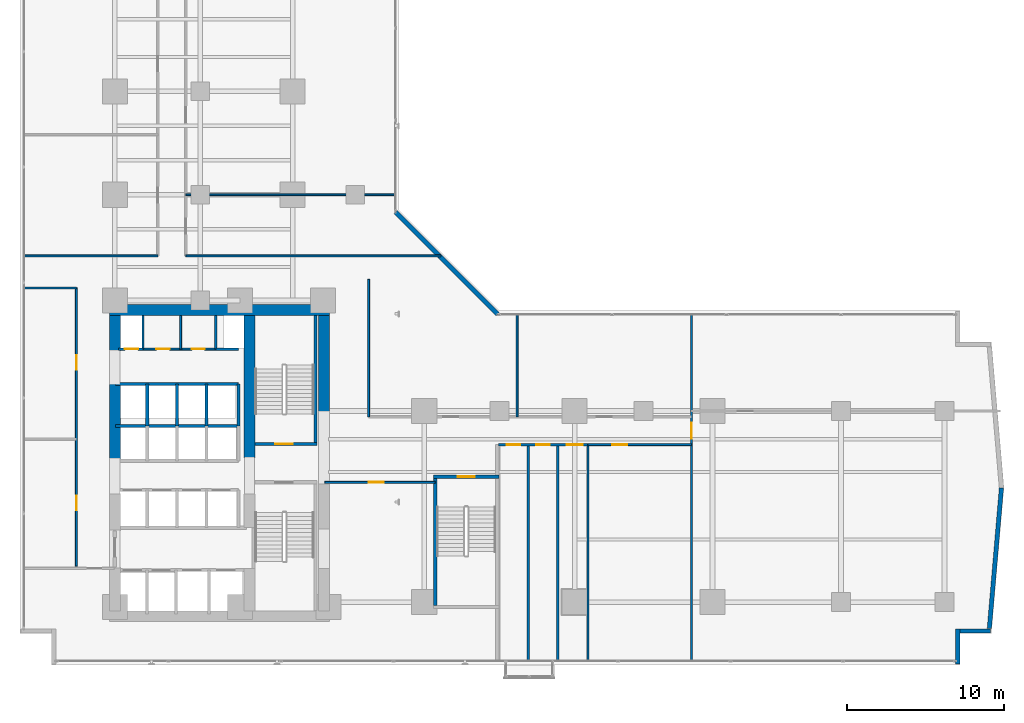
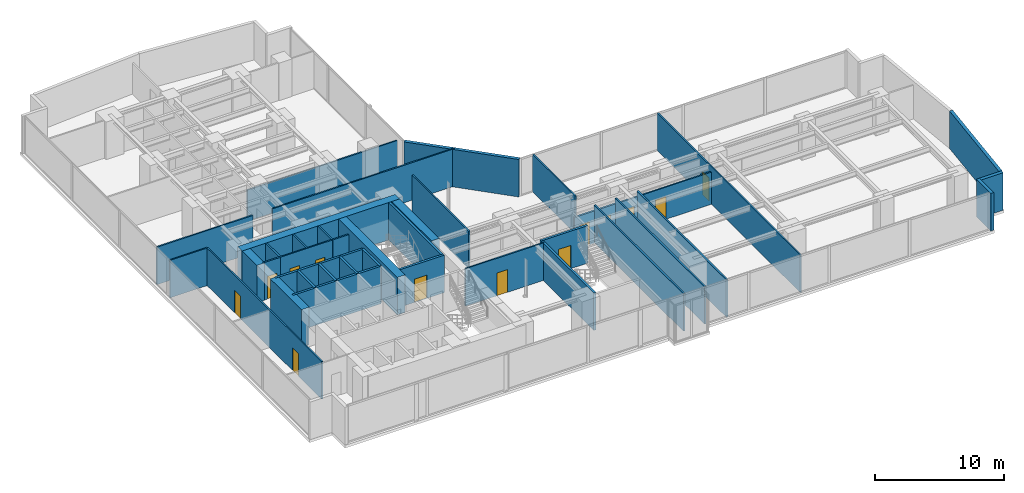
# One storey, part 24 of 29: 39 walls, 13 doors, 13 openings.
"""IFC4 building model written with IfcOpenShell, lengths in metres."""

from ifc_helpers import new_model, si_unit, direction, frame, frame_2d, origin, place, context, subcontext, project, spatial, rectangle, extrude, material, layer, layer_set, type_object, element, fill, save


model = new_model("IFC4")

# Units and contexts
model_context = context("Model", 3, precision=1e-05, world=origin(), true_north=direction((0.0, 1.0)))
body_context = subcontext(model_context, "Body", "Model", "MODEL_VIEW")
ifc_project = project(units=[si_unit("LENGTHUNIT", "METRE"), si_unit("AREAUNIT", "SQUARE_METRE"), si_unit("VOLUMEUNIT", "CUBIC_METRE"), si_unit("PLANEANGLEUNIT", "RADIAN"), si_unit("MASSUNIT", "GRAM", prefix="KILO")], contexts=[model_context])

# Site, building, storey
site_placement = place(None, origin())
site = spatial("IfcSite", under=ifc_project, at=site_placement, CompositionType="ELEMENT")
building_placement = place(site_placement, origin())
building = spatial("IfcBuilding", under=site, at=building_placement, Name="Kolvaren Waterfront Exchange", CompositionType="ELEMENT")
storey_placement = place(building_placement, frame((0.0, 0.0, 37.199951171875)))
storey = spatial("IfcBuildingStorey", under=building, at=storey_placement, Name="L09", CompositionType="ELEMENT", Elevation=37.199951171875)

# Walls
ifc_material_1 = material(Name="Precast concrete C40/50", Category="concrete")
ifc_layer_1 = layer(ifc_material_1, 0.280029296875, Name="Precast concrete C40/50")
ifc_layer_set_1 = layer_set([ifc_layer_1], Name="Precast concrete C40/50")
wall_type_1 = type_object("IfcWallType", Name="ARC-EXT-TERR-280", PredefinedType="SOLIDWALL", material=ifc_layer_set_1)
wall_1_placement = place(storey_placement, frame((61.239990234375, 1.260009765625, 0.0), z_axis=(0.0, 0.0, 1.0), x_axis=(0.0, 1.0, 0.0)))
element("IfcWall", 1, at=wall_1_placement, inside=storey, type_object=wall_type_1, Name="L09 notched corner spandrel pier SE-A", PredefinedType="SOLIDWALL", context=body_context, shape_type="SweptSolid", body=[
    extrude(rectangle(XDim=2.239990234375, YDim=0.280029296875, at=frame_2d((1.1201171875, 0.0))), origin(), (0.0, 0.0, 1.0), 3.5400390625),
])
wall_2_placement = place(storey_placement, frame((61.3798828125, 3.360107421875, 0.0), z_axis=(0.0, 0.0, 1.0), x_axis=(1.0, 0.0, 0.0)))
element("IfcWall", 2, at=wall_2_placement, inside=storey, type_object=wall_type_1, Name="L09 notched corner spandrel pier SE-B", PredefinedType="SOLIDWALL", context=body_context, shape_type="SweptSolid", body=[
    extrude(rectangle(XDim=1.960205078125, YDim=0.280029296875, at=frame_2d((0.97998046875, 0.0))), origin(), (0.0, 0.0, 1.0), 3.5400390625),
])
wall_3_placement = place(storey_placement, frame((31.885009765625, 23.574951171875, 0.0), z_axis=(0.0, 0.0, 1.0), x_axis=(-0.707106781187, 0.707106781187, 0.0)))
element("IfcWall", 3, at=wall_3_placement, inside=storey, type_object=wall_type_1, Name="L09 notched corner spandrel pier ELBOW", PredefinedType="SOLIDWALL", context=body_context, shape_type="SweptSolid", body=[
    extrude(rectangle(XDim=9.20654296875, YDim=0.280029296875, at=frame_2d((4.603271484375, 0.0))), origin(), (0.0, 0.0, 1.0), 3.5400390625),
])
wall_4_placement = place(storey_placement, frame((63.266357421875, 3.5126953125, 0.0), z_axis=(0.0, 0.0, 1.0), x_axis=(0.085692274626, 0.996321651912, 0.0)))
element("IfcWall", 4, at=wall_4_placement, inside=storey, type_object=wall_type_1, Name="L09 east prow faceted facade wall 1", PredefinedType="SOLIDWALL", context=body_context, shape_type="SweptSolid", body=[
    extrude(rectangle(XDim=9.014404296875, YDim=0.280029296875, at=frame_2d((4.50732421875, 0.0))), origin(), (0.0, 0.0, 1.0), 3.5400390625),
])

# Wall, opening, door
ifc_layer_2 = layer(ifc_material_1, 0.199951171875, Name="Precast concrete C40/50")
ifc_layer_set_2 = layer_set([ifc_layer_2], Name="Precast concrete C40/50")
wall_type_2 = type_object("IfcWallType", Name="ARC-FIRE-200", PredefinedType="PARTITIONING", material=ifc_layer_set_2)
wall_5_placement = place(storey_placement, frame((16.409912109375, 15.300048828125, 0.0), z_axis=(0.0, 0.0, 1.0), x_axis=(1.0, 0.0, 0.0)))
wall_5 = element("IfcWall", 5, at=wall_5_placement, inside=storey, type_object=wall_type_2, Name="L09 interior wall PW-L09-ST2-THROAT-N", PredefinedType="PARTITIONING", context=body_context, shape_type="SweptSolid", body=[
    extrude(rectangle(XDim=3.9501953125, YDim=0.199951171875, at=frame_2d((1.97509765625, 0.0))), origin(), (0.0, 0.0, 1.0), 3.5400390625),
])
opening_1_placement = place(wall_5_placement, frame((1.293701171875, 0.0, 0.0)))
opening_1 = element("IfcOpeningElement", 6, at=opening_1_placement, cuts=wall_5, Name="Opening FD2", PredefinedType="OPENING", context=body_context, shape_type="SweptSolid", body=[
    extrude(rectangle(XDim=1.10009765625, YDim=2.199951171875, at=frame_2d((0.550048828125, 1.10009765625))), frame((0.0, 0.10986328125, 0.0), z_axis=(0.0, -1.0, 0.0), x_axis=(1.0, 0.0, 0.0)), (0.0, 0.0, 1.0), 0.219970703125),
])
ifc_material_2 = material(Name="Pressed steel smoke-seal fire door", Category="steel")
door_type_1 = type_object("IfcDoorType", Name="ARC-FD-1100", OperationType="NOTDEFINED", PredefinedType="DOOR", material=ifc_material_2)
door_1_placement = place(opening_1_placement, origin())
door_1 = element("IfcDoor", 7, at=door_1_placement, inside=storey, type_object=door_type_1, Name="L09 door DR-L09-ST2-IN (FD2)", OperationType="SINGLE_SWING_LEFT", OverallHeight=2.199951171875, OverallWidth=1.10009765625, PredefinedType="DOOR", context=body_context, shape_type="SweptSolid", body=[
    extrude(rectangle(XDim=1.10009765625, YDim=2.199951171875, at=frame_2d((0.550048828125, 1.10009765625))), frame((0.0, 0.02490234375, 0.0), z_axis=(0.0, -1.0, 0.0), x_axis=(1.0, 0.0, 0.0)), (0.0, 0.0, 1.0), 0.050048828125),
])
fill(opening_1, door_1)

# Wall, openings, doors
ifc_material_3 = material(Name="Acoustic gypsum steel stud", Category="steel")
ifc_layer_3 = layer(ifc_material_3, 0.125, Name="Acoustic gypsum steel stud")
ifc_layer_set_3 = layer_set([ifc_layer_3], Name="Acoustic gypsum steel stud")
wall_type_3 = type_object("IfcWallType", Name="ARC-PART-125", PredefinedType="PARTITIONING", material=ifc_layer_set_3)
wall_6_placement = place(storey_placement, frame((9.25, 21.35009765625, 0.0), z_axis=(0.0, 0.0, 1.0), x_axis=(1.0, 0.0, 0.0)))
wall_6 = element("IfcWall", 8, at=wall_6_placement, inside=storey, type_object=wall_type_3, Name="L09 interior wall PW-L09-SVC-EX-S", PredefinedType="PARTITIONING", context=body_context, shape_type="SweptSolid", body=[
    extrude(rectangle(XDim=4.64990234375, YDim=0.125, at=frame_2d((2.324951171875, 0.0))), origin(), (0.0, 0.0, 1.0), 3.5400390625),
])
opening_2_placement = place(wall_6_placement, frame((0.85009765625, 0.0, 0.0)))
opening_2 = element("IfcOpeningElement", 9, at=opening_2_placement, cuts=wall_6, Name="Opening D01", PredefinedType="OPENING", context=body_context, shape_type="SweptSolid", body=[
    extrude(rectangle(XDim=0.85009765625, YDim=2.14990234375, at=frame_2d((0.425048828125, 1.074951171875))), frame((0.0, 0.072509765625, 0.0), z_axis=(0.0, -1.0, 0.0), x_axis=(1.0, 0.0, 0.0)), (0.0, 0.0, 1.0), 0.14501953125),
])
opening_3_placement = place(wall_6_placement, frame((3.10009765625, 0.0, 0.0)))
opening_3 = element("IfcOpeningElement", 10, at=opening_3_placement, cuts=wall_6, Name="Opening D01", PredefinedType="OPENING", context=body_context, shape_type="SweptSolid", body=[
    extrude(rectangle(XDim=0.85009765625, YDim=2.14990234375, at=frame_2d((0.425048828125, 1.074951171875))), frame((0.0, 0.072509765625, 0.0), z_axis=(0.0, -1.0, 0.0), x_axis=(1.0, 0.0, 0.0)), (0.0, 0.0, 1.0), 0.14501953125),
])
ifc_material_4 = material(Name="Oak veneer timber leaf", Category="wood")
door_type_2 = type_object("IfcDoorType", Name="ARC-DR-900", OperationType="NOTDEFINED", PredefinedType="DOOR", material=ifc_material_4)
door_2_placement = place(opening_2_placement, origin())
door_2 = element("IfcDoor", 11, at=door_2_placement, inside=storey, type_object=door_type_2, Name="L09 door DR-L09-SVC-DR-1 (D01)", OperationType="SINGLE_SWING_LEFT", OverallHeight=2.14990234375, OverallWidth=0.85009765625, PredefinedType="DOOR", context=body_context, shape_type="SweptSolid", body=[
    extrude(rectangle(XDim=0.85009765625, YDim=2.14990234375, at=frame_2d((0.425048828125, 1.074951171875))), frame((0.0, 0.02490234375, 0.0), z_axis=(0.0, -1.0, 0.0), x_axis=(1.0, 0.0, 0.0)), (0.0, 0.0, 1.0), 0.050048828125),
])
fill(opening_2, door_2)
door_3_placement = place(opening_3_placement, origin())
door_3 = element("IfcDoor", 12, at=door_3_placement, inside=storey, type_object=door_type_2, Name="L09 door DR-L09-SVC-DR-2 (D01)", OperationType="SINGLE_SWING_RIGHT", OverallHeight=2.14990234375, OverallWidth=0.85009765625, PredefinedType="DOOR", context=body_context, shape_type="SweptSolid", body=[
    extrude(rectangle(XDim=0.85009765625, YDim=2.14990234375, at=frame_2d((0.425048828125, 1.074951171875))), frame((0.0, 0.02490234375, 0.0), z_axis=(0.0, -1.0, 0.0), x_axis=(1.0, 0.0, 0.0)), (0.0, 0.0, 1.0), 0.050048828125),
])
fill(opening_3, door_3)

# Wall
wall_7_placement = place(storey_placement, frame((11.64990234375, 21.35009765625, 0.0), z_axis=(0.0, 0.0, 1.0), x_axis=(0.0, 1.0, 0.0)))
element("IfcWall", 13, at=wall_7_placement, inside=storey, type_object=wall_type_3, Name="L09 interior wall PW-L09-SVC-EX-M1", PredefinedType="PARTITIONING", context=body_context, shape_type="SweptSolid", body=[
    extrude(rectangle(XDim=2.1298828125, YDim=0.125, at=frame_2d((1.06494140625, 0.0))), origin(), (0.0, 0.0, 1.0), 3.5400390625),
])

# Wall, openings, doors
wall_8_placement = place(storey_placement, frame((5.0, 7.5, 0.0), z_axis=(0.0, 0.0, 1.0), x_axis=(0.0, 1.0, 0.0)))
wall_8 = element("IfcWall", 14, at=wall_8_placement, inside=storey, type_object=wall_type_3, Name="L09 interior wall PW-L09-WFLANK-E", PredefinedType="PARTITIONING", context=body_context, shape_type="SweptSolid", body=[
    extrude(rectangle(XDim=17.75, YDim=0.125, at=frame_2d((8.875, 0.0))), origin(), (0.0, 0.0, 1.0), 3.5400390625),
])
opening_4_placement = place(wall_8_placement, frame((3.550048828125, 0.0, 0.0)))
opening_4 = element("IfcOpeningElement", 15, at=opening_4_placement, cuts=wall_8, Name="Opening D02", PredefinedType="OPENING", context=body_context, shape_type="SweptSolid", body=[
    extrude(rectangle(XDim=0.949951171875, YDim=2.14990234375, at=frame_2d((0.47509765625, 1.074951171875))), frame((0.0, 0.072509765625, 0.0), z_axis=(0.0, -1.0, 0.0), x_axis=(1.0, 0.0, 0.0)), (0.0, 0.0, 1.0), 0.14501953125),
])
opening_5_placement = place(wall_8_placement, frame((12.52099609375, 0.0, 0.0)))
opening_5 = element("IfcOpeningElement", 16, at=opening_5_placement, cuts=wall_8, Name="Opening D02", PredefinedType="OPENING", context=body_context, shape_type="SweptSolid", body=[
    extrude(rectangle(XDim=0.949951171875, YDim=2.14990234375, at=frame_2d((0.47509765625, 1.074951171875))), frame((0.0, 0.072509765625, 0.0), z_axis=(0.0, -1.0, 0.0), x_axis=(1.0, 0.0, 0.0)), (0.0, 0.0, 1.0), 0.14501953125),
])
ifc_material_5 = material(Name="Oak veneer acoustic timber", Category="wood")
door_type_3 = type_object("IfcDoorType", Name="ARC-DR-950", OperationType="NOTDEFINED", PredefinedType="DOOR", material=ifc_material_5)
door_4_placement = place(opening_4_placement, origin())
door_4 = element("IfcDoor", 17, at=door_4_placement, inside=storey, type_object=door_type_3, Name="L09 door DR-L09-WFL1-D (D02)", OperationType="SINGLE_SWING_LEFT", OverallHeight=2.14990234375, OverallWidth=0.949951171875, PredefinedType="DOOR", context=body_context, shape_type="SweptSolid", body=[
    extrude(rectangle(XDim=0.949951171875, YDim=2.14990234375, at=frame_2d((0.47509765625, 1.074951171875))), frame((0.0, 0.02490234375, 0.0), z_axis=(0.0, -1.0, 0.0), x_axis=(1.0, 0.0, 0.0)), (0.0, 0.0, 1.0), 0.050048828125),
])
fill(opening_4, door_4)
door_5_placement = place(opening_5_placement, origin())
door_5 = element("IfcDoor", 18, at=door_5_placement, inside=storey, type_object=door_type_3, Name="L09 door DR-L09-WFL2-D (D02)", OperationType="SINGLE_SWING_RIGHT", OverallHeight=2.14990234375, OverallWidth=0.949951171875, PredefinedType="DOOR", context=body_context, shape_type="SweptSolid", body=[
    extrude(rectangle(XDim=0.949951171875, YDim=2.14990234375, at=frame_2d((0.47509765625, 1.074951171875))), frame((0.0, 0.02490234375, 0.0), z_axis=(0.0, -1.0, 0.0), x_axis=(1.0, 0.0, 0.0)), (0.0, 0.0, 1.0), 0.050048828125),
])
fill(opening_5, door_5)

# Wall
wall_9_placement = place(storey_placement, frame((1.639892578125, 25.25, 0.0), z_axis=(0.0, 0.0, 1.0), x_axis=(1.0, 0.0, 0.0)))
element("IfcWall", 19, at=wall_9_placement, inside=storey, type_object=wall_type_3, Name="L09 interior wall PW-L09-WFLANK-N", PredefinedType="PARTITIONING", context=body_context, shape_type="SweptSolid", body=[
    extrude(rectangle(XDim=3.360107421875, YDim=0.125, at=frame_2d((1.68017578125, 0.0))), origin(), (0.0, 0.0, 1.0), 3.5400390625),
])

# Wall, opening, door
wall_10_placement = place(storey_placement, frame((20.85009765625, 12.85009765625, 0.0), z_axis=(0.0, 0.0, 1.0), x_axis=(1.0, 0.0, 0.0)))
wall_10 = element("IfcWall", 20, at=wall_10_placement, inside=storey, type_object=wall_type_3, Name="L09 interior wall PW-L09-SWST3-N", PredefinedType="PARTITIONING", context=body_context, shape_type="SweptSolid", body=[
    extrude(rectangle(XDim=7.0498046875, YDim=0.125, at=frame_2d((3.52490234375, 0.0))), origin(), (0.0, 0.0, 1.0), 3.5400390625),
])
opening_6_placement = place(wall_10_placement, frame((2.800048828125, 0.0, 0.0)))
opening_6 = element("IfcOpeningElement", 21, at=opening_6_placement, cuts=wall_10, Name="Opening D02", PredefinedType="OPENING", context=body_context, shape_type="SweptSolid", body=[
    extrude(rectangle(XDim=0.949951171875, YDim=2.14990234375, at=frame_2d((0.47509765625, 1.074951171875))), frame((0.0, 0.072509765625, 0.0), z_axis=(0.0, -1.0, 0.0), x_axis=(1.0, 0.0, 0.0)), (0.0, 0.0, 1.0), 0.14501953125),
])
door_6_placement = place(opening_6_placement, origin())
door_6 = element("IfcDoor", 22, at=door_6_placement, inside=storey, type_object=door_type_3, Name="L09 door DR-L09-SWST3-D (D02)", OperationType="SINGLE_SWING_LEFT", OverallHeight=2.14990234375, OverallWidth=0.949951171875, PredefinedType="DOOR", context=body_context, shape_type="SweptSolid", body=[
    extrude(rectangle(XDim=0.949951171875, YDim=2.14990234375, at=frame_2d((0.47509765625, 1.074951171875))), frame((0.0, 0.02490234375, 0.0), z_axis=(0.0, -1.0, 0.0), x_axis=(1.0, 0.0, 0.0)), (0.0, 0.0, 1.0), 0.050048828125),
])
fill(opening_6, door_6)

wall_11_placement = place(storey_placement, frame((37.64990234375, 15.25, 0.0), z_axis=(0.0, 0.0, 1.0), x_axis=(1.0, 0.0, 0.0)))
wall_11 = element("IfcWall", 23, at=wall_11_placement, inside=storey, type_object=wall_type_3, Name="L09 interior wall PW-L09-ES-CORR", PredefinedType="PARTITIONING", context=body_context, shape_type="SweptSolid", body=[
    extrude(rectangle(XDim=6.60009765625, YDim=0.125, at=frame_2d((3.300048828125, 0.0))), origin(), (0.0, 0.0, 1.0), 3.0400390625),
])
opening_7_placement = place(wall_11_placement, frame((1.5556640625, 0.0, 0.0)))
opening_7 = element("IfcOpeningElement", 24, at=opening_7_placement, cuts=wall_11, Name="Opening D02", PredefinedType="OPENING", context=body_context, shape_type="SweptSolid", body=[
    extrude(rectangle(XDim=0.949951171875, YDim=2.14990234375, at=frame_2d((0.47509765625, 1.074951171875))), frame((0.0, 0.072509765625, 0.0), z_axis=(0.0, -1.0, 0.0), x_axis=(1.0, 0.0, 0.0)), (0.0, 0.0, 1.0), 0.14501953125),
])
door_7_placement = place(opening_7_placement, origin())
door_7 = element("IfcDoor", 25, at=door_7_placement, inside=storey, type_object=door_type_3, Name="L09 door DR-L09-ES-D-1 (D02)", OperationType="SINGLE_SWING_RIGHT", OverallHeight=2.14990234375, OverallWidth=0.949951171875, PredefinedType="DOOR", context=body_context, shape_type="SweptSolid", body=[
    extrude(rectangle(XDim=0.949951171875, YDim=2.14990234375, at=frame_2d((0.47509765625, 1.074951171875))), frame((0.0, 0.02490234375, 0.0), z_axis=(0.0, -1.0, 0.0), x_axis=(1.0, 0.0, 0.0)), (0.0, 0.0, 1.0), 0.050048828125),
])
fill(opening_7, door_7)

wall_12_placement = place(storey_placement, frame((44.25, 1.43994140625, 0.0), z_axis=(0.0, 0.0, 1.0), x_axis=(0.0, 1.0, 0.0)))
wall_12 = element("IfcWall", 26, at=wall_12_placement, inside=storey, type_object=wall_type_3, Name="L09 interior wall PW-L09-ETIP-W", PredefinedType="PARTITIONING", context=body_context, shape_type="SweptSolid", body=[
    extrude(rectangle(XDim=22.1201171875, YDim=0.125, at=frame_2d((11.06005859375, 0.0))), origin(), (0.0, 0.0, 1.0), 3.5400390625),
])
opening_8_placement = place(wall_12_placement, frame((14.199951171875, 0.0, 0.0)))
opening_8 = element("IfcOpeningElement", 27, at=opening_8_placement, cuts=wall_12, Name="Opening D03", PredefinedType="OPENING", context=body_context, shape_type="SweptSolid", body=[
    extrude(rectangle(XDim=1.0, YDim=2.199951171875, at=frame_2d((0.5, 1.10009765625))), frame((0.0, 0.072509765625, 0.0), z_axis=(0.0, -1.0, 0.0), x_axis=(1.0, 0.0, 0.0)), (0.0, 0.0, 1.0), 0.14501953125),
])
ifc_material_6 = material(Name="Oak veneer accessible timber", Category="wood")
door_type_4 = type_object("IfcDoorType", Name="ARC-DR-1000", OperationType="NOTDEFINED", PredefinedType="DOOR", material=ifc_material_6)
door_8_placement = place(opening_8_placement, origin())
door_8 = element("IfcDoor", 28, at=door_8_placement, inside=storey, type_object=door_type_4, Name="L09 door DR-L09-ETIP1-D (D03)", OperationType="SINGLE_SWING_LEFT", OverallHeight=2.199951171875, OverallWidth=1.0, PredefinedType="DOOR", context=body_context, shape_type="SweptSolid", body=[
    extrude(rectangle(XDim=1.0, YDim=2.199951171875, at=frame_2d((0.5, 1.10009765625))), frame((0.0, 0.02490234375, 0.0), z_axis=(0.0, -1.0, 0.0), x_axis=(1.0, 0.0, 0.0)), (0.0, 0.0, 1.0), 0.050048828125),
])
fill(opening_8, door_8)

# Walls
wall_13_placement = place(storey_placement, frame((23.64990234375, 17.030029296875, 0.0), z_axis=(0.0, 0.0, 1.0), x_axis=(0.0, 1.0, 0.0)))
element("IfcWall", 29, at=wall_13_placement, inside=storey, type_object=wall_type_3, Name="L09 interior wall PW-L09-EN-W0", PredefinedType="PARTITIONING", context=body_context, shape_type="SweptSolid", body=[
    extrude(rectangle(XDim=8.77001953125, YDim=0.125, at=frame_2d((4.385009765625, 0.0))), origin(), (0.0, 0.0, 1.0), 3.5400390625),
])
wall_14_placement = place(storey_placement, frame((33.1298828125, 17.030029296875, 0.0), z_axis=(0.0, 0.0, 1.0), x_axis=(0.0, 1.0, 0.0)))
element("IfcWall", 30, at=wall_14_placement, inside=storey, type_object=wall_type_3, Name="L09 interior wall PW-L09-EN-DIV-1", PredefinedType="PARTITIONING", context=body_context, shape_type="SweptSolid", body=[
    extrude(rectangle(XDim=6.530029296875, YDim=0.125, at=frame_2d((3.26513671875, 0.0))), origin(), (0.0, 0.0, 1.0), 3.5400390625),
])
wall_15_placement = place(storey_placement, frame((1.639892578125, 27.300048828125, 0.0), z_axis=(0.0, 0.0, 1.0), x_axis=(1.0, 0.0, 0.0)))
element("IfcWall", 31, at=wall_15_placement, inside=storey, type_object=wall_type_3, Name="L09 interior wall PW-L09-NW-S0", PredefinedType="PARTITIONING", context=body_context, shape_type="SweptSolid", body=[
    extrude(rectangle(XDim=8.56005859375, YDim=0.125, at=frame_2d((4.280029296875, 0.0))), origin(), (0.0, 0.0, 1.0), 3.5400390625),
])
wall_16_placement = place(storey_placement, frame((11.97998046875, 27.300048828125, 0.0), z_axis=(0.0, 0.0, 1.0), x_axis=(1.0, 0.0, 0.0)))
element("IfcWall", 32, at=wall_16_placement, inside=storey, type_object=wall_type_3, Name="L09 interior wall PW-L09-NE-S0", PredefinedType="PARTITIONING", context=body_context, shape_type="SweptSolid", body=[
    extrude(rectangle(XDim=16.280029296875, YDim=0.125, at=frame_2d((8.14013671875, 0.0))), origin(), (0.0, 0.0, 1.0), 3.5400390625),
])
wall_17_placement = place(storey_placement, frame((11.97998046875, 31.199951171875, 0.0), z_axis=(0.0, 0.0, 1.0), x_axis=(1.0, 0.0, 0.0)))
element("IfcWall", 33, at=wall_17_placement, inside=storey, type_object=wall_type_3, Name="L09 interior wall PW-L09-NE-DIV-1", PredefinedType="PARTITIONING", context=body_context, shape_type="SweptSolid", body=[
    extrude(rectangle(XDim=13.380126953125, YDim=0.125, at=frame_2d((6.68994140625, 0.0))), origin(), (0.0, 0.0, 1.0), 2.93994140625),
])
ifc_material_7 = material(Name="Gypsum fireboard steel stud", Category="steel")
ifc_layer_4 = layer(ifc_material_7, 0.14990234375, Name="Gypsum fireboard steel stud")
ifc_layer_set_4 = layer_set([ifc_layer_4], Name="Gypsum fireboard steel stud")
wall_type_4 = type_object("IfcWallType", Name="ARC-PART-150", PredefinedType="PARTITIONING", material=ifc_layer_set_4)
for number, where, z_axis, x_axis, name in (
    (34, (9.25, 21.35009765625, 0.0), (0.0, 0.0, 1.0), (0.0, 1.0, 0.0), "L09 interior wall PW-L09-SVC-R1"),
    (35, (13.89990234375, 21.35009765625, 0.0), (0.0, 0.0, 1.0), (0.0, 1.0, 0.0), "L09 interior wall PW-L09-SVC-R2"),
):
    element("IfcWall", number, at=place(storey_placement, frame(where, z_axis=z_axis, x_axis=x_axis)), inside=storey, type_object=wall_type_4, Name=name, PredefinedType="PARTITIONING", context=body_context, shape_type="SweptSolid", body=[
        extrude(rectangle(XDim=2.1298828125, YDim=0.14990234375, at=frame_2d((1.06494140625, 0.0))), origin(), (0.0, 0.0, 1.0), 3.5400390625),
    ])

# Wall, opening, door
wall_18_placement = place(storey_placement, frame((7.699951171875, 21.35009765625, 0.0), z_axis=(0.0, 0.0, 1.0), x_axis=(1.0, 0.0, 0.0)))
wall_18 = element("IfcWall", 36, at=wall_18_placement, inside=storey, type_object=wall_type_4, Name="L09 interior wall PW-L09-SVC-RE-S", PredefinedType="PARTITIONING", context=body_context, shape_type="SweptSolid", body=[
    extrude(rectangle(XDim=1.550048828125, YDim=0.14990234375, at=frame_2d((0.77490234375, 0.0))), origin(), (0.0, 0.0, 1.0), 3.5400390625),
])
opening_9_placement = place(wall_18_placement, frame((0.389892578125, 0.0, 0.0)))
opening_9 = element("IfcOpeningElement", 37, at=opening_9_placement, cuts=wall_18, Name="Opening FD1", PredefinedType="OPENING", context=body_context, shape_type="SweptSolid", body=[
    extrude(rectangle(XDim=0.85009765625, YDim=2.14990234375, at=frame_2d((0.425048828125, 1.074951171875))), frame((0.0, 0.0849609375, 0.0), z_axis=(0.0, -1.0, 0.0), x_axis=(1.0, 0.0, 0.0)), (0.0, 0.0, 1.0), 0.169921875),
])
ifc_material_8 = material(Name="Pressed steel fire leaf", Category="steel")
door_type_5 = type_object("IfcDoorType", Name="ARC-FD-900", OperationType="NOTDEFINED", PredefinedType="DOOR", material=ifc_material_8)
door_9_placement = place(opening_9_placement, origin())
door_9 = element("IfcDoor", 38, at=door_9_placement, inside=storey, type_object=door_type_5, Name="L09 door DR-L09-RISER-E-DR (FD1)", OperationType="SINGLE_SWING_RIGHT", OverallHeight=2.14990234375, OverallWidth=0.85009765625, PredefinedType="DOOR", context=body_context, shape_type="SweptSolid", body=[
    extrude(rectangle(XDim=0.85009765625, YDim=2.14990234375, at=frame_2d((0.425048828125, 1.074951171875))), frame((0.0, 0.02490234375, 0.0), z_axis=(0.0, -1.0, 0.0), x_axis=(1.0, 0.0, 0.0)), (0.0, 0.0, 1.0), 0.050048828125),
])
fill(opening_9, door_9)

# Wall
wall_19_placement = place(storey_placement, frame((13.89990234375, 21.35009765625, 0.0), z_axis=(0.0, 0.0, 1.0), x_axis=(1.0, 0.0, 0.0)))
element("IfcWall", 39, at=wall_19_placement, inside=storey, type_object=wall_type_4, Name="L09 interior wall PW-L09-SVC-RP-S", PredefinedType="PARTITIONING", context=body_context, shape_type="SweptSolid", body=[
    extrude(rectangle(XDim=1.4501953125, YDim=0.14990234375, at=frame_2d((0.72509765625, 0.0))), origin(), (0.0, 0.0, 1.0), 3.5400390625),
])

# Wall, openings, doors
ifc_material_9 = material(Name="Moisture-resistant gypsum stud")
ifc_layer_5 = layer(ifc_material_9, 0.14990234375, Name="Moisture-resistant gypsum stud")
ifc_layer_set_5 = layer_set([ifc_layer_5], Name="Moisture-resistant gypsum stud")
wall_type_5 = type_object("IfcWallType", Name="ARC-PLUMB-150", PredefinedType="PLUMBINGWALL", material=ifc_layer_set_5)
wall_20_placement = place(storey_placement, frame((31.949951171875, 15.25, 0.0), z_axis=(0.0, 0.0, 1.0), x_axis=(1.0, 0.0, 0.0)))
wall_20 = element("IfcWall", 40, at=wall_20_placement, inside=storey, type_object=wall_type_5, Name="L09 interior wall PW-L09-WC-N", PredefinedType="PLUMBINGWALL", context=body_context, shape_type="SweptSolid", body=[
    extrude(rectangle(XDim=5.699951171875, YDim=0.14990234375, at=frame_2d((2.85009765625, 0.0))), origin(), (0.0, 0.0, 1.0), 3.0400390625),
])
opening_10_placement = place(wall_20_placement, frame((0.514892578125, 0.0, 0.0)))
opening_10 = element("IfcOpeningElement", 41, at=opening_10_placement, cuts=wall_20, Name="Opening D01", PredefinedType="OPENING", context=body_context, shape_type="SweptSolid", body=[
    extrude(rectangle(XDim=0.85009765625, YDim=2.14990234375, at=frame_2d((0.425048828125, 1.074951171875))), frame((0.0, 0.0849609375, 0.0), z_axis=(0.0, -1.0, 0.0), x_axis=(1.0, 0.0, 0.0)), (0.0, 0.0, 1.0), 0.169921875),
])
opening_11_placement = place(wall_20_placement, frame((2.39501953125, 0.0, 0.0)))
opening_11 = element("IfcOpeningElement", 42, at=opening_11_placement, cuts=wall_20, Name="Opening D01", PredefinedType="OPENING", context=body_context, shape_type="SweptSolid", body=[
    extrude(rectangle(XDim=0.85009765625, YDim=2.14990234375, at=frame_2d((0.425048828125, 1.074951171875))), frame((0.0, 0.0849609375, 0.0), z_axis=(0.0, -1.0, 0.0), x_axis=(1.0, 0.0, 0.0)), (0.0, 0.0, 1.0), 0.169921875),
])
opening_12_placement = place(wall_20_placement, frame((4.35009765625, 0.0, 0.0)))
opening_12 = element("IfcOpeningElement", 43, at=opening_12_placement, cuts=wall_20, Name="Opening D03", PredefinedType="OPENING", context=body_context, shape_type="SweptSolid", body=[
    extrude(rectangle(XDim=1.0, YDim=2.199951171875, at=frame_2d((0.5, 1.10009765625))), frame((0.0, 0.0849609375, 0.0), z_axis=(0.0, -1.0, 0.0), x_axis=(1.0, 0.0, 0.0)), (0.0, 0.0, 1.0), 0.169921875),
])
door_10_placement = place(opening_12_placement, origin())
door_10 = element("IfcDoor", 44, at=door_10_placement, inside=storey, type_object=door_type_4, Name="L09 door DR-L09-WCA-D (D03)", OperationType="SINGLE_SWING_LEFT", OverallHeight=2.199951171875, OverallWidth=1.0, PredefinedType="DOOR", context=body_context, shape_type="SweptSolid", body=[
    extrude(rectangle(XDim=1.0, YDim=2.199951171875, at=frame_2d((0.5, 1.10009765625))), frame((0.0, 0.02490234375, 0.0), z_axis=(0.0, -1.0, 0.0), x_axis=(1.0, 0.0, 0.0)), (0.0, 0.0, 1.0), 0.050048828125),
])
fill(opening_12, door_10)
door_11_placement = place(opening_10_placement, origin())
door_11 = element("IfcDoor", 45, at=door_11_placement, inside=storey, type_object=door_type_2, Name="L09 door DR-L09-WCM-D (D01)", OperationType="SINGLE_SWING_LEFT", OverallHeight=2.14990234375, OverallWidth=0.85009765625, PredefinedType="DOOR", context=body_context, shape_type="SweptSolid", body=[
    extrude(rectangle(XDim=0.85009765625, YDim=2.14990234375, at=frame_2d((0.425048828125, 1.074951171875))), frame((0.0, 0.02490234375, 0.0), z_axis=(0.0, -1.0, 0.0), x_axis=(1.0, 0.0, 0.0)), (0.0, 0.0, 1.0), 0.050048828125),
])
fill(opening_10, door_11)
door_12_placement = place(opening_11_placement, origin())
door_12 = element("IfcDoor", 46, at=door_12_placement, inside=storey, type_object=door_type_2, Name="L09 door DR-L09-WCF-D (D01)", OperationType="SINGLE_SWING_RIGHT", OverallHeight=2.14990234375, OverallWidth=0.85009765625, PredefinedType="DOOR", context=body_context, shape_type="SweptSolid", body=[
    extrude(rectangle(XDim=0.85009765625, YDim=2.14990234375, at=frame_2d((0.425048828125, 1.074951171875))), frame((0.0, 0.02490234375, 0.0), z_axis=(0.0, -1.0, 0.0), x_axis=(1.0, 0.0, 0.0)), (0.0, 0.0, 1.0), 0.050048828125),
])
fill(opening_11, door_12)

# Walls
for number, where, z_axis, x_axis, name in (
    (47, (33.830078125, 1.43994140625, 0.0), (0.0, 0.0, 1.0), (0.0, 1.0, 0.0), "L09 interior wall PW-L09-WC-1"),
    (48, (35.7099609375, 1.43994140625, 0.0), (0.0, 0.0, 1.0), (0.0, 1.0, 0.0), "L09 interior wall PW-L09-WC-2"),
    (49, (37.64990234375, 1.43994140625, 0.0), (0.0, 0.0, 1.0), (0.0, 1.0, 0.0), "L09 interior wall PW-L09-WC-3"),
):
    element("IfcWall", number, at=place(storey_placement, frame(where, z_axis=z_axis, x_axis=x_axis)), inside=storey, type_object=wall_type_5, Name=name, PredefinedType="PLUMBINGWALL", context=body_context, shape_type="SweptSolid", body=[
        extrude(rectangle(XDim=13.81005859375, YDim=0.14990234375, at=frame_2d((6.905029296875, 0.0))), origin(), (0.0, 0.0, 1.0), 3.5400390625),
    ])
ifc_material_10 = material(Name="Concrete C40/50", Category="concrete")
ifc_layer_6 = layer(ifc_material_10, 0.199951171875, Name="Concrete C40/50")
ifc_layer_set_6 = layer_set([ifc_layer_6], Name="Concrete C40/50")
wall_type_6 = type_object("IfcWallType", Name="ARC-SHAFT-200", PredefinedType="PARTITIONING", material=ifc_layer_set_6)
wall_21_placement = place(storey_placement, frame((20.260009765625, 15.39990234375, 0.0), z_axis=(0.0, 0.0, 1.0), x_axis=(0.0, 1.0, 0.0)))
element("IfcWall", 50, at=wall_21_placement, inside=storey, type_object=wall_type_6, Name="L09 structural stairwell wall PW-L09-ST2-E", PredefinedType="SHEAR", context=body_context, shape_type="SweptSolid", body=[
    extrude(rectangle(XDim=8.090087890625, YDim=0.199951171875, at=frame_2d((4.044921875, 0.0))), origin(), (0.0, 0.0, 1.0), 3.5400390625),
])
wall_22_placement = place(storey_placement, frame((27.89990234375, 5.0, 0.0), z_axis=(0.0, 0.0, 1.0), x_axis=(0.0, 1.0, 0.0)))
element("IfcWall", 51, at=wall_22_placement, inside=storey, type_object=wall_type_6, Name="L09 structural stairwell wall PW-L09-ST3-W", PredefinedType="SHEAR", context=body_context, shape_type="SweptSolid", body=[
    extrude(rectangle(XDim=8.10009765625, YDim=0.199951171875, at=frame_2d((4.050048828125, 0.0))), origin(), (0.0, 0.0, 1.0), 3.5400390625),
])

# Wall, opening, door
wall_23_placement = place(storey_placement, frame((27.800048828125, 13.199951171875, 0.0), z_axis=(0.0, 0.0, 1.0), x_axis=(1.0, 0.0, 0.0)))
wall_23 = element("IfcWall", 52, at=wall_23_placement, inside=storey, type_object=wall_type_6, Name="L09 structural stairwell wall PW-L09-ST3-N", PredefinedType="SHEAR", context=body_context, shape_type="SweptSolid", body=[
    extrude(rectangle(XDim=4.159912109375, YDim=0.199951171875, at=frame_2d((2.080078125, 0.0))), origin(), (0.0, 0.0, 1.0), 3.5400390625),
])
opening_13_placement = place(wall_23_placement, frame((1.530029296875, 0.0, 0.0)))
opening_13 = element("IfcOpeningElement", 53, at=opening_13_placement, cuts=wall_23, Name="Opening FD2", PredefinedType="OPENING", context=body_context, shape_type="SweptSolid", body=[
    extrude(rectangle(XDim=1.10009765625, YDim=2.199951171875, at=frame_2d((0.550048828125, 1.10009765625))), frame((0.0, 0.10986328125, 0.0), z_axis=(0.0, -1.0, 0.0), x_axis=(1.0, 0.0, 0.0)), (0.0, 0.0, 1.0), 0.219970703125),
])
door_13_placement = place(opening_13_placement, frame((1.10009765625, 0.0, 0.0), z_axis=(0.0, 0.0, 1.0), x_axis=(-1.0, 0.0, 0.0)))
door_13 = element("IfcDoor", 54, at=door_13_placement, inside=storey, type_object=door_type_1, Name="L09 door DR-L09-ST3-IN (FD2)", OperationType="SINGLE_SWING_RIGHT", OverallHeight=2.199951171875, OverallWidth=1.10009765625, PredefinedType="DOOR", context=body_context, shape_type="SweptSolid", body=[
    extrude(rectangle(XDim=1.10009765625, YDim=2.199951171875, at=frame_2d((0.550048828125, 1.10009765625))), frame((0.0, 0.02490234375, 0.0), z_axis=(0.0, -1.0, 0.0), x_axis=(1.0, 0.0, 0.0)), (0.0, 0.0, 1.0), 0.050048828125),
])
fill(opening_13, door_13)

# Walls
for number, where, z_axis, x_axis, name in (
    (55, (7.5, 16.449951171875, 0.0), (0.0, 0.0, 1.0), (1.0, 0.0, 0.0), "L09 interior wall PW-L09-PM-N"),
    (56, (7.5, 19.1201171875, 0.0), (0.0, 0.0, 1.0), (1.0, 0.0, 0.0), "L09 interior wall PW-L09-PH-N"),
):
    element("IfcWall", number, at=place(storey_placement, frame(where, z_axis=z_axis, x_axis=x_axis)), inside=storey, type_object=wall_type_6, Name=name, PredefinedType="PARTITIONING", context=body_context, shape_type="SweptSolid", body=[
        extrude(rectangle(XDim=7.85009765625, YDim=0.199951171875, at=frame_2d((3.925048828125, 0.0))), origin(), (0.0, 0.0, 1.0), 3.5400390625),
    ])
for number, where, z_axis, x_axis, name in (
    (57, (15.35009765625, 16.449951171875, 0.0), (0.0, 0.0, 1.0), (0.0, 1.0, 0.0), "L09 interior wall PW-L09-PH-E"),
    (58, (9.52001953125, 16.449951171875, 0.0), (0.0, 0.0, 1.0), (0.0, 1.0, 0.0), "L09 interior wall PW-L09-SH4-DIV-95"),
    (59, (11.409912109375, 16.449951171875, 0.0), (0.0, 0.0, 1.0), (0.0, 1.0, 0.0), "L09 interior wall PW-L09-SH4-DIV-114"),
    (60, (13.300048828125, 16.449951171875, 0.0), (0.0, 0.0, 1.0), (0.0, 1.0, 0.0), "L09 interior wall PW-L09-SH4-DIV-133"),
):
    element("IfcWall", number, at=place(storey_placement, frame(where, z_axis=z_axis, x_axis=x_axis)), inside=storey, type_object=wall_type_6, Name=name, PredefinedType="PARTITIONING", context=body_context, shape_type="SweptSolid", body=[
        extrude(rectangle(XDim=2.670166015625, YDim=0.199951171875, at=frame_2d((1.3349609375, 0.0))), origin(), (0.0, 0.0, 1.0), 3.5400390625),
    ])
ifc_material_11 = material(Name="Concrete C70/85", Category="concrete")
ifc_layer_7 = layer(ifc_material_11, 0.699951171875, Name="Concrete C70/85")
ifc_layer_set_7 = layer_set([ifc_layer_7], Name="Concrete C70/85")
wall_type_7 = type_object("IfcWallType", Name="STR-CWALL-700", PredefinedType="SHEAR", material=ifc_layer_set_7)
wall_24_placement = place(storey_placement, frame((7.10009765625, 23.85009765625, 0.0), z_axis=(0.0, 0.0, 1.0), x_axis=(1.0, 0.0, 0.0)))
element("IfcWall", 61, at=wall_24_placement, inside=storey, type_object=wall_type_7, Name="L09 rear-core shear wall N", PredefinedType="SHEAR", context=body_context, shape_type="SweptSolid", body=[
    extrude(rectangle(XDim=14.0498046875, YDim=0.699951171875, at=frame_2d((7.02490234375, 0.0))), origin(), (0.0, 0.0, 1.0), 3.5400390625),
])
wall_25_placement = place(storey_placement, frame((7.449951171875, 14.35009765625, 0.0), z_axis=(0.0, 0.0, 1.0), x_axis=(0.0, 1.0, 0.0)))
element("IfcWall", 62, at=wall_25_placement, inside=storey, type_object=wall_type_7, Name="L09 rear-core shear wall W2B", PredefinedType="SHEAR", context=body_context, shape_type="SweptSolid", body=[
    extrude(rectangle(XDim=4.809814453125, YDim=0.699951171875, at=frame_2d((2.40478515625, 0.0))), origin(), (0.0, 0.0, 1.0), 3.5400390625),
])
wall_26_placement = place(storey_placement, frame((7.449951171875, 21.239990234375, 0.0), z_axis=(0.0, 0.0, 1.0), x_axis=(0.0, 1.0, 0.0)))
element("IfcWall", 63, at=wall_26_placement, inside=storey, type_object=wall_type_7, Name="L09 rear-core shear wall W3", PredefinedType="SHEAR", context=body_context, shape_type="SweptSolid", body=[
    extrude(rectangle(XDim=2.260009765625, YDim=0.699951171875, at=frame_2d((1.1298828125, 0.0))), origin(), (0.0, 0.0, 1.0), 3.5400390625),
])
wall_27_placement = place(storey_placement, frame((20.800048828125, 17.35009765625, 0.0), z_axis=(0.0, 0.0, 1.0), x_axis=(0.0, 1.0, 0.0)))
element("IfcWall", 64, at=wall_27_placement, inside=storey, type_object=wall_type_7, Name="L09 rear-core shear wall E3", PredefinedType="SHEAR", context=body_context, shape_type="SweptSolid", body=[
    extrude(rectangle(XDim=6.14990234375, YDim=0.699951171875, at=frame_2d((3.074951171875, 0.0))), origin(), (0.0, 0.0, 1.0), 3.5400390625),
])
wall_28_placement = place(storey_placement, frame((16.050048828125, 14.39990234375, 0.0), z_axis=(0.0, 0.0, 1.0), x_axis=(0.0, 1.0, 0.0)))
element("IfcWall", 65, at=wall_28_placement, inside=storey, type_object=wall_type_7, Name="L09 rear-core shear wall M3", PredefinedType="SHEAR", context=body_context, shape_type="SweptSolid", body=[
    extrude(rectangle(XDim=9.10009765625, YDim=0.699951171875, at=frame_2d((4.550048828125, 0.0))), origin(), (0.0, 0.0, 1.0), 3.5400390625),
])

save(model, "model.ifc")
